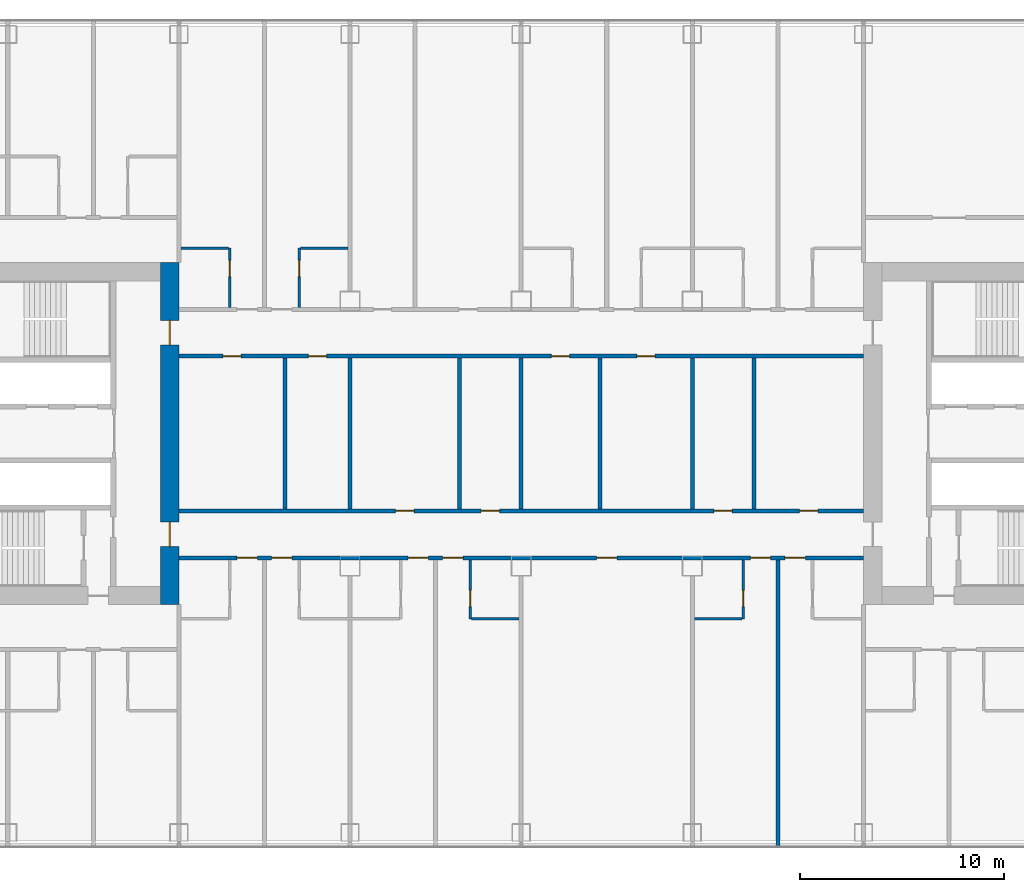
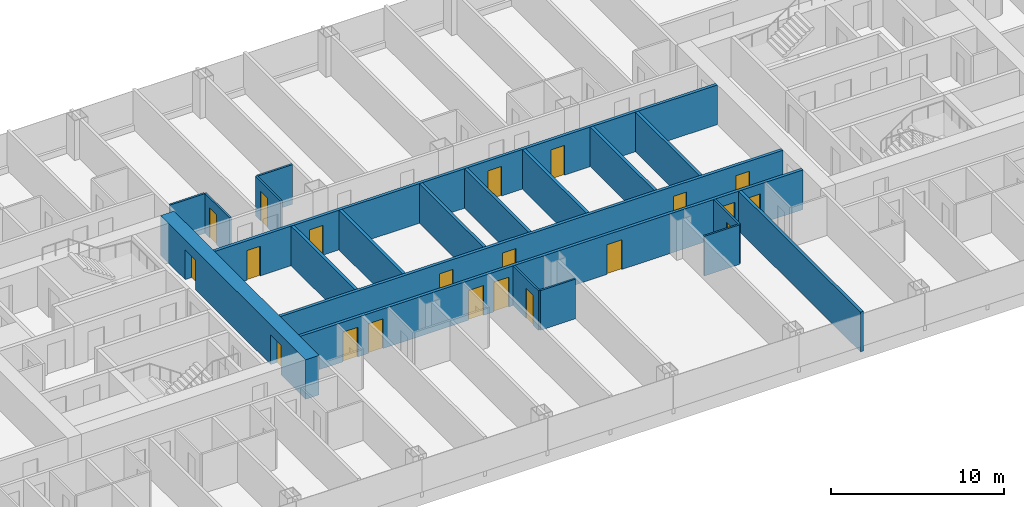
# One storey, part 16 of 29: 21 doors, 20 walls, 21 openings.
"""IFC4 building model written with IfcOpenShell, lengths in metres."""

from ifc_helpers import new_model, si_unit, direction, frame, frame_2d, origin, place, context, subcontext, project, spatial, rectangle, extrude, material, layer, layer_set, type_object, element, fill, save


model = new_model("IFC4")

# Units and contexts
model_context = context("Model", 3, precision=1e-05, world=origin(), true_north=direction((0.0, 1.0)))
body_context = subcontext(model_context, "Body", "Model", "MODEL_VIEW")
ifc_project = project(units=[si_unit("LENGTHUNIT", "METRE"), si_unit("AREAUNIT", "SQUARE_METRE"), si_unit("VOLUMEUNIT", "CUBIC_METRE"), si_unit("PLANEANGLEUNIT", "RADIAN"), si_unit("MASSUNIT", "GRAM", prefix="KILO")], contexts=[model_context])

# Site, building, storey
site_placement = place(None, origin())
site = spatial("IfcSite", under=ifc_project, at=site_placement, CompositionType="ELEMENT")
building_placement = place(site_placement, origin())
building = spatial("IfcBuilding", under=site, at=building_placement, Name="Hakoniwa Tower and Hamabe Station Hall", CompositionType="ELEMENT")
storey_placement = place(building_placement, frame((0.0, 0.0, 23.0)))
storey = spatial("IfcBuildingStorey", under=building, at=storey_placement, Name="L05", CompositionType="ELEMENT", Elevation=23.0)

# Walls
ifc_material_1 = material(Name="Gypsum board partition", Category="gypsum")
ifc_layer_1 = layer(ifc_material_1, 0.125)
ifc_layer_set_1 = layer_set([ifc_layer_1], Name="Bathroom Partition 125")
wall_type_1 = type_object("IfcWallType", Name="Bathroom Partition 125", PredefinedType="PARTITIONING", material=ifc_layer_set_1)
for number, where, z_axis, x_axis, name in (
    (1, (-2.4375, -9.10009765625, 0.0), (0.0, 0.0, 1.0), (1.0, 0.0, 0.0), "GW-L05-015"),
    (2, (8.5, -9.10009765625, 0.0), (0.0, 0.0, 1.0), (1.0, 0.0, 0.0), "GW-L05-016"),
    (3, (-16.699951171875, 9.10009765625, 0.0), (0.0, 0.0, 1.0), (1.0, 0.0, 0.0), "GW-L05-035"),
    (4, (-10.83740234375, 9.10009765625, 0.0), (0.0, 0.0, 1.0), (1.0, 0.0, 0.0), "GW-L05-036"),
):
    element("IfcWall", number, at=place(storey_placement, frame(where, z_axis=z_axis, x_axis=x_axis)), inside=storey, type_object=wall_type_1, Name=name, PredefinedType="PARTITIONING", context=body_context, shape_type="SweptSolid", body=[
        extrude(rectangle(XDim=2.33740234375, YDim=0.125, at=frame_2d((1.168701171875, 0.0))), origin(), (0.0, 0.0, 1.0), 2.800048828125),
    ])

# Wall, opening, door
wall_1_placement = place(storey_placement, frame((-14.300048828125, 6.199951171875, 0.0), z_axis=(0.0, 0.0, 1.0), x_axis=(0.0, 1.0, 0.0)))
wall_1 = element("IfcWall", 5, at=wall_1_placement, inside=storey, type_object=wall_type_1, Name="GW-L05-082", PredefinedType="PARTITIONING", context=body_context, shape_type="SweptSolid", body=[
    extrude(rectangle(XDim=2.900146484375, YDim=0.125, at=frame_2d((1.4501953125, 0.0))), origin(), (0.0, 0.0, 1.0), 2.800048828125),
])
opening_1_placement = place(wall_1_placement, frame((1.5, 0.0, 0.0)))
opening_1 = element("IfcOpeningElement", 6, at=opening_1_placement, cuts=wall_1, Name="Opening GD-G1B0-79", PredefinedType="OPENING", context=body_context, shape_type="SweptSolid", body=[
    extrude(rectangle(XDim=0.800048828125, YDim=2.10009765625, at=frame_2d((0.39990234375, 1.050048828125))), frame((0.0, 0.072509765625, 0.0), z_axis=(0.0, -1.0, 0.0), x_axis=(1.0, 0.0, 0.0)), (0.0, 0.0, 1.0), 0.14501953125),
])
ifc_material_2 = material(Name="Timber door leaf", Category="wood")
door_type_1 = type_object("IfcDoorType", Name="Bathroom Door 800", OperationType="SINGLE_SWING_LEFT", PredefinedType="DOOR", material=ifc_material_2)
door_1_placement = place(opening_1_placement, origin())
door_1 = element("IfcDoor", 7, at=door_1_placement, inside=storey, type_object=door_type_1, Name="Door GD-G1B0-79", OperationType="SINGLE_SWING_LEFT", OverallHeight=2.10009765625, OverallWidth=0.800048828125, PredefinedType="DOOR", context=body_context, shape_type="SweptSolid", body=[
    extrude(rectangle(XDim=0.800048828125, YDim=2.10009765625, at=frame_2d((0.39990234375, 1.050048828125))), frame((0.0, 0.02490234375, 0.0), z_axis=(0.0, -1.0, 0.0), x_axis=(1.0, 0.0, 0.0)), (0.0, 0.0, 1.0), 0.050048828125),
])
fill(opening_1, door_1)

wall_2_placement = place(storey_placement, frame((-10.89990234375, 6.199951171875, 0.0), z_axis=(0.0, 0.0, 1.0), x_axis=(0.0, 1.0, 0.0)))
wall_2 = element("IfcWall", 8, at=wall_2_placement, inside=storey, type_object=wall_type_1, Name="GW-L05-087", PredefinedType="PARTITIONING", context=body_context, shape_type="SweptSolid", body=[
    extrude(rectangle(XDim=2.900146484375, YDim=0.125, at=frame_2d((1.4501953125, 0.0))), origin(), (0.0, 0.0, 1.0), 2.800048828125),
])
opening_2_placement = place(wall_2_placement, frame((1.5, 0.0, 0.0)))
opening_2 = element("IfcOpeningElement", 9, at=opening_2_placement, cuts=wall_2, Name="Opening GD-G1B0-81", PredefinedType="OPENING", context=body_context, shape_type="SweptSolid", body=[
    extrude(rectangle(XDim=0.800048828125, YDim=2.10009765625, at=frame_2d((0.39990234375, 1.050048828125))), frame((0.0, 0.072509765625, 0.0), z_axis=(0.0, -1.0, 0.0), x_axis=(1.0, 0.0, 0.0)), (0.0, 0.0, 1.0), 0.14501953125),
])
door_2_placement = place(opening_2_placement, origin())
door_2 = element("IfcDoor", 10, at=door_2_placement, inside=storey, type_object=door_type_1, Name="Door GD-G1B0-81", OperationType="SINGLE_SWING_RIGHT", OverallHeight=2.10009765625, OverallWidth=0.800048828125, PredefinedType="DOOR", context=body_context, shape_type="SweptSolid", body=[
    extrude(rectangle(XDim=0.800048828125, YDim=2.10009765625, at=frame_2d((0.39990234375, 1.050048828125))), frame((0.0, 0.02490234375, 0.0), z_axis=(0.0, -1.0, 0.0), x_axis=(1.0, 0.0, 0.0)), (0.0, 0.0, 1.0), 0.050048828125),
])
fill(opening_2, door_2)

wall_3_placement = place(storey_placement, frame((-2.5, -9.10009765625, 0.0), z_axis=(0.0, 0.0, 1.0), x_axis=(0.0, 1.0, 0.0)))
wall_3 = element("IfcWall", 11, at=wall_3_placement, inside=storey, type_object=wall_type_1, Name="GW-L05-095", PredefinedType="PARTITIONING", context=body_context, shape_type="SweptSolid", body=[
    extrude(rectangle(XDim=2.900146484375, YDim=0.125, at=frame_2d((1.4501953125, 0.0))), origin(), (0.0, 0.0, 1.0), 2.800048828125),
])
opening_3_placement = place(wall_3_placement, frame((0.60009765625, 0.0, 0.0)))
opening_3 = element("IfcOpeningElement", 12, at=opening_3_placement, cuts=wall_3, Name="Opening GD-G1B0-83", PredefinedType="OPENING", context=body_context, shape_type="SweptSolid", body=[
    extrude(rectangle(XDim=0.800048828125, YDim=2.10009765625, at=frame_2d((0.39990234375, 1.050048828125))), frame((0.0, 0.072509765625, 0.0), z_axis=(0.0, -1.0, 0.0), x_axis=(1.0, 0.0, 0.0)), (0.0, 0.0, 1.0), 0.14501953125),
])
door_3_placement = place(opening_3_placement, origin())
door_3 = element("IfcDoor", 13, at=door_3_placement, inside=storey, type_object=door_type_1, Name="Door GD-G1B0-83", OperationType="SINGLE_SWING_LEFT", OverallHeight=2.10009765625, OverallWidth=0.800048828125, PredefinedType="DOOR", context=body_context, shape_type="SweptSolid", body=[
    extrude(rectangle(XDim=0.800048828125, YDim=2.10009765625, at=frame_2d((0.39990234375, 1.050048828125))), frame((0.0, 0.02490234375, 0.0), z_axis=(0.0, -1.0, 0.0), x_axis=(1.0, 0.0, 0.0)), (0.0, 0.0, 1.0), 0.050048828125),
])
fill(opening_3, door_3)

wall_4_placement = place(storey_placement, frame((10.89990234375, -9.10009765625, 0.0), z_axis=(0.0, 0.0, 1.0), x_axis=(0.0, 1.0, 0.0)))
wall_4 = element("IfcWall", 14, at=wall_4_placement, inside=storey, type_object=wall_type_1, Name="GW-L05-106", PredefinedType="PARTITIONING", context=body_context, shape_type="SweptSolid", body=[
    extrude(rectangle(XDim=2.900146484375, YDim=0.125, at=frame_2d((1.4501953125, 0.0))), origin(), (0.0, 0.0, 1.0), 2.800048828125),
])
opening_4_placement = place(wall_4_placement, frame((0.60009765625, 0.0, 0.0)))
opening_4 = element("IfcOpeningElement", 15, at=opening_4_placement, cuts=wall_4, Name="Opening GD-G1B0-86", PredefinedType="OPENING", context=body_context, shape_type="SweptSolid", body=[
    extrude(rectangle(XDim=0.800048828125, YDim=2.10009765625, at=frame_2d((0.39990234375, 1.050048828125))), frame((0.0, 0.072509765625, 0.0), z_axis=(0.0, -1.0, 0.0), x_axis=(1.0, 0.0, 0.0)), (0.0, 0.0, 1.0), 0.14501953125),
])
door_4_placement = place(opening_4_placement, origin())
door_4 = element("IfcDoor", 16, at=door_4_placement, inside=storey, type_object=door_type_1, Name="Door GD-G1B0-86", OperationType="SINGLE_SWING_RIGHT", OverallHeight=2.10009765625, OverallWidth=0.800048828125, PredefinedType="DOOR", context=body_context, shape_type="SweptSolid", body=[
    extrude(rectangle(XDim=0.800048828125, YDim=2.10009765625, at=frame_2d((0.39990234375, 1.050048828125))), frame((0.0, 0.02490234375, 0.0), z_axis=(0.0, -1.0, 0.0), x_axis=(1.0, 0.0, 0.0)), (0.0, 0.0, 1.0), 0.050048828125),
])
fill(opening_4, door_4)

# Wall, openings, doors
ifc_material_3 = material(Name="Concrete C80", Category="concrete")
ifc_layer_2 = layer(ifc_material_3, 0.89990234375)
ifc_layer_set_2 = layer_set([ifc_layer_2], Name="CORE WALL 900 C80")
wall_type_2 = type_object("IfcWallType", Name="CORE WALL 900 C80", PredefinedType="SHEAR", material=ifc_layer_set_2)
wall_5_placement = place(storey_placement, frame((-17.25, -8.39990234375, 0.0), z_axis=(0.0, 0.0, 1.0), x_axis=(0.0, 1.0, 0.0)))
wall_5 = element("IfcWall", 17, at=wall_5_placement, inside=storey, type_object=wall_type_2, Name="Core wall INNER west", PredefinedType="SHEAR", context=body_context, shape_type="SweptSolid", body=[
    extrude(rectangle(XDim=16.7998046875, YDim=0.89990234375, at=frame_2d((8.39990234375, 0.0))), origin(), (0.0, 0.0, 1.0), 2.800048828125),
])
opening_5_placement = place(wall_5_placement, frame((12.75, 0.0, 0.0)))
opening_5 = element("IfcOpeningElement", 18, at=opening_5_placement, cuts=wall_5, Name="Opening CD-W-IN1-12", PredefinedType="OPENING", context=body_context, shape_type="SweptSolid", body=[
    extrude(rectangle(XDim=1.199951171875, YDim=2.10009765625, at=frame_2d((0.60009765625, 1.050048828125))), frame((0.0, 0.4599609375, 0.0), z_axis=(0.0, -1.0, 0.0), x_axis=(1.0, 0.0, 0.0)), (0.0, 0.0, 1.0), 0.919921875),
])
opening_6_placement = place(wall_5_placement, frame((2.85009765625, 0.0, 0.0)))
opening_6 = element("IfcOpeningElement", 19, at=opening_6_placement, cuts=wall_5, Name="Opening CD-W-IN2-12", PredefinedType="OPENING", context=body_context, shape_type="SweptSolid", body=[
    extrude(rectangle(XDim=1.199951171875, YDim=2.10009765625, at=frame_2d((0.60009765625, 1.050048828125))), frame((0.0, 0.4599609375, 0.0), z_axis=(0.0, -1.0, 0.0), x_axis=(1.0, 0.0, 0.0)), (0.0, 0.0, 1.0), 0.919921875),
])
ifc_material_4 = material(Name="Steel fire door", Category="steel")
door_type_2 = type_object("IfcDoorType", Name="CORE DOOR 1200 FD60", OperationType="DOUBLE_DOOR_SINGLE_SWING", PredefinedType="DOOR", material=ifc_material_4)
door_5_placement = place(opening_5_placement, origin())
door_5 = element("IfcDoor", 20, at=door_5_placement, inside=storey, type_object=door_type_2, Name="Lift lobby door", OperationType="DOUBLE_DOOR_SINGLE_SWING", OverallHeight=2.10009765625, OverallWidth=1.199951171875, PredefinedType="DOOR", context=body_context, shape_type="SweptSolid", body=[
    extrude(rectangle(XDim=1.199951171875, YDim=2.10009765625, at=frame_2d((0.60009765625, 1.050048828125))), frame((0.0, 0.02490234375, 0.0), z_axis=(0.0, -1.0, 0.0), x_axis=(1.0, 0.0, 0.0)), (0.0, 0.0, 1.0), 0.050048828125),
])
fill(opening_5, door_5)
door_6_placement = place(opening_6_placement, origin())
door_6 = element("IfcDoor", 21, at=door_6_placement, inside=storey, type_object=door_type_2, Name="Lift lobby door", OperationType="DOUBLE_DOOR_SINGLE_SWING", OverallHeight=2.10009765625, OverallWidth=1.199951171875, PredefinedType="DOOR", context=body_context, shape_type="SweptSolid", body=[
    extrude(rectangle(XDim=1.199951171875, YDim=2.10009765625, at=frame_2d((0.60009765625, 1.050048828125))), frame((0.0, 0.02490234375, 0.0), z_axis=(0.0, -1.0, 0.0), x_axis=(1.0, 0.0, 0.0)), (0.0, 0.0, 1.0), 0.050048828125),
])
fill(opening_6, door_6)

ifc_material_5 = material(Name="Fire-rated gypsum board partition", Category="gypsum")
ifc_layer_3 = layer(ifc_material_5, 0.199951171875)
ifc_layer_set_3 = layer_set([ifc_layer_3], Name="Corridor Wall 200")
wall_type_3 = type_object("IfcWallType", Name="Corridor Wall 200", PredefinedType="PARTITIONING", material=ifc_layer_set_3)
wall_6_placement = place(storey_placement, frame((-16.800048828125, -6.10009765625, 0.0), z_axis=(0.0, 0.0, 1.0), x_axis=(1.0, 0.0, 0.0)))
wall_6 = element("IfcWall", 22, at=wall_6_placement, inside=storey, type_object=wall_type_3, Name="GW-L05-020", PredefinedType="PARTITIONING", context=body_context, shape_type="SweptSolid", body=[
    extrude(rectangle(XDim=33.60009765625, YDim=0.199951171875, at=frame_2d((16.800048828125, 0.0))), origin(), (0.0, 0.0, 1.0), 2.800048828125),
])
opening_7_placement = place(wall_6_placement, frame((2.85009765625, 0.0, 0.0)))
opening_7 = element("IfcOpeningElement", 23, at=opening_7_placement, cuts=wall_6, Name="Opening GD-G1B0-19", PredefinedType="OPENING", context=body_context, shape_type="SweptSolid", body=[
    extrude(rectangle(XDim=1.0, YDim=2.10009765625, at=frame_2d((0.5, 1.050048828125))), frame((0.0, 0.10986328125, 0.0), z_axis=(0.0, -1.0, 0.0), x_axis=(1.0, 0.0, 0.0)), (0.0, 0.0, 1.0), 0.219970703125),
])
opening_8_placement = place(wall_6_placement, frame((4.550048828125, 0.0, 0.0)))
opening_8 = element("IfcOpeningElement", 24, at=opening_8_placement, cuts=wall_6, Name="Opening GD-G1B0-20", PredefinedType="OPENING", context=body_context, shape_type="SweptSolid", body=[
    extrude(rectangle(XDim=1.0, YDim=2.10009765625, at=frame_2d((0.5, 1.050048828125))), frame((0.0, 0.10986328125, 0.0), z_axis=(0.0, -1.0, 0.0), x_axis=(1.0, 0.0, 0.0)), (0.0, 0.0, 1.0), 0.219970703125),
])
opening_9_placement = place(wall_6_placement, frame((11.25, 0.0, 0.0)))
opening_9 = element("IfcOpeningElement", 25, at=opening_9_placement, cuts=wall_6, Name="Opening GD-G1B0-21", PredefinedType="OPENING", context=body_context, shape_type="SweptSolid", body=[
    extrude(rectangle(XDim=1.0, YDim=2.10009765625, at=frame_2d((0.5, 1.050048828125))), frame((0.0, 0.10986328125, 0.0), z_axis=(0.0, -1.0, 0.0), x_axis=(1.0, 0.0, 0.0)), (0.0, 0.0, 1.0), 0.219970703125),
])
opening_10_placement = place(wall_6_placement, frame((12.949951171875, 0.0, 0.0)))
opening_10 = element("IfcOpeningElement", 26, at=opening_10_placement, cuts=wall_6, Name="Opening GD-G1B0-22", PredefinedType="OPENING", context=body_context, shape_type="SweptSolid", body=[
    extrude(rectangle(XDim=1.0, YDim=2.10009765625, at=frame_2d((0.5, 1.050048828125))), frame((0.0, 0.10986328125, 0.0), z_axis=(0.0, -1.0, 0.0), x_axis=(1.0, 0.0, 0.0)), (0.0, 0.0, 1.0), 0.219970703125),
])
opening_11_placement = place(wall_6_placement, frame((20.5, 0.0, 0.0)))
opening_11 = element("IfcOpeningElement", 27, at=opening_11_placement, cuts=wall_6, Name="Opening GD-G1B0-23", PredefinedType="OPENING", context=body_context, shape_type="SweptSolid", body=[
    extrude(rectangle(XDim=1.0, YDim=2.10009765625, at=frame_2d((0.5, 1.050048828125))), frame((0.0, 0.10986328125, 0.0), z_axis=(0.0, -1.0, 0.0), x_axis=(1.0, 0.0, 0.0)), (0.0, 0.0, 1.0), 0.219970703125),
])
opening_12_placement = place(wall_6_placement, frame((28.050048828125, 0.0, 0.0)))
opening_12 = element("IfcOpeningElement", 28, at=opening_12_placement, cuts=wall_6, Name="Opening GD-G1B0-24", PredefinedType="OPENING", context=body_context, shape_type="SweptSolid", body=[
    extrude(rectangle(XDim=1.0, YDim=2.10009765625, at=frame_2d((0.5, 1.050048828125))), frame((0.0, 0.10986328125, 0.0), z_axis=(0.0, -1.0, 0.0), x_axis=(1.0, 0.0, 0.0)), (0.0, 0.0, 1.0), 0.219970703125),
])
opening_13_placement = place(wall_6_placement, frame((29.75, 0.0, 0.0)))
opening_13 = element("IfcOpeningElement", 29, at=opening_13_placement, cuts=wall_6, Name="Opening GD-G1B0-25", PredefinedType="OPENING", context=body_context, shape_type="SweptSolid", body=[
    extrude(rectangle(XDim=1.0, YDim=2.10009765625, at=frame_2d((0.5, 1.050048828125))), frame((0.0, 0.10986328125, 0.0), z_axis=(0.0, -1.0, 0.0), x_axis=(1.0, 0.0, 0.0)), (0.0, 0.0, 1.0), 0.219970703125),
])
ifc_material_6 = material(Name="Timber door leaf", Category="wood")
door_type_3 = type_object("IfcDoorType", Name="Guest Entrance Door 1000", OperationType="SINGLE_SWING_LEFT", PredefinedType="DOOR", material=ifc_material_6)
door_7_placement = place(opening_7_placement, origin())
door_7 = element("IfcDoor", 30, at=door_7_placement, inside=storey, type_object=door_type_3, Name="Door GD-G1B0-19", OperationType="SINGLE_SWING_RIGHT", OverallHeight=2.10009765625, OverallWidth=1.0, PredefinedType="DOOR", context=body_context, shape_type="SweptSolid", body=[
    extrude(rectangle(XDim=1.0, YDim=2.10009765625, at=frame_2d((0.5, 1.050048828125))), frame((0.0, 0.02490234375, 0.0), z_axis=(0.0, -1.0, 0.0), x_axis=(1.0, 0.0, 0.0)), (0.0, 0.0, 1.0), 0.050048828125),
])
fill(opening_7, door_7)
door_8_placement = place(opening_8_placement, origin())
door_8 = element("IfcDoor", 31, at=door_8_placement, inside=storey, type_object=door_type_3, Name="Door GD-G1B0-20", OperationType="SINGLE_SWING_RIGHT", OverallHeight=2.10009765625, OverallWidth=1.0, PredefinedType="DOOR", context=body_context, shape_type="SweptSolid", body=[
    extrude(rectangle(XDim=1.0, YDim=2.10009765625, at=frame_2d((0.5, 1.050048828125))), frame((0.0, 0.02490234375, 0.0), z_axis=(0.0, -1.0, 0.0), x_axis=(1.0, 0.0, 0.0)), (0.0, 0.0, 1.0), 0.050048828125),
])
fill(opening_8, door_8)
door_9_placement = place(opening_9_placement, origin())
door_9 = element("IfcDoor", 32, at=door_9_placement, inside=storey, type_object=door_type_3, Name="Door GD-G1B0-21", OperationType="SINGLE_SWING_LEFT", OverallHeight=2.10009765625, OverallWidth=1.0, PredefinedType="DOOR", context=body_context, shape_type="SweptSolid", body=[
    extrude(rectangle(XDim=1.0, YDim=2.10009765625, at=frame_2d((0.5, 1.050048828125))), frame((0.0, 0.02490234375, 0.0), z_axis=(0.0, -1.0, 0.0), x_axis=(1.0, 0.0, 0.0)), (0.0, 0.0, 1.0), 0.050048828125),
])
fill(opening_9, door_9)
door_10_placement = place(opening_10_placement, origin())
door_10 = element("IfcDoor", 33, at=door_10_placement, inside=storey, type_object=door_type_3, Name="Door GD-G1B0-22", OperationType="SINGLE_SWING_RIGHT", OverallHeight=2.10009765625, OverallWidth=1.0, PredefinedType="DOOR", context=body_context, shape_type="SweptSolid", body=[
    extrude(rectangle(XDim=1.0, YDim=2.10009765625, at=frame_2d((0.5, 1.050048828125))), frame((0.0, 0.02490234375, 0.0), z_axis=(0.0, -1.0, 0.0), x_axis=(1.0, 0.0, 0.0)), (0.0, 0.0, 1.0), 0.050048828125),
])
fill(opening_10, door_10)
door_11_placement = place(opening_11_placement, origin())
door_11 = element("IfcDoor", 34, at=door_11_placement, inside=storey, type_object=door_type_3, Name="Door GD-G1B0-23", OperationType="SINGLE_SWING_LEFT", OverallHeight=2.10009765625, OverallWidth=1.0, PredefinedType="DOOR", context=body_context, shape_type="SweptSolid", body=[
    extrude(rectangle(XDim=1.0, YDim=2.10009765625, at=frame_2d((0.5, 1.050048828125))), frame((0.0, 0.02490234375, 0.0), z_axis=(0.0, -1.0, 0.0), x_axis=(1.0, 0.0, 0.0)), (0.0, 0.0, 1.0), 0.050048828125),
])
fill(opening_11, door_11)
door_12_placement = place(opening_12_placement, origin())
door_12 = element("IfcDoor", 35, at=door_12_placement, inside=storey, type_object=door_type_3, Name="Door GD-G1B0-24", OperationType="SINGLE_SWING_RIGHT", OverallHeight=2.10009765625, OverallWidth=1.0, PredefinedType="DOOR", context=body_context, shape_type="SweptSolid", body=[
    extrude(rectangle(XDim=1.0, YDim=2.10009765625, at=frame_2d((0.5, 1.050048828125))), frame((0.0, 0.02490234375, 0.0), z_axis=(0.0, -1.0, 0.0), x_axis=(1.0, 0.0, 0.0)), (0.0, 0.0, 1.0), 0.050048828125),
])
fill(opening_12, door_12)
door_13_placement = place(opening_13_placement, origin())
door_13 = element("IfcDoor", 36, at=door_13_placement, inside=storey, type_object=door_type_3, Name="Door GD-G1B0-25", OperationType="SINGLE_SWING_LEFT", OverallHeight=2.10009765625, OverallWidth=1.0, PredefinedType="DOOR", context=body_context, shape_type="SweptSolid", body=[
    extrude(rectangle(XDim=1.0, YDim=2.10009765625, at=frame_2d((0.5, 1.050048828125))), frame((0.0, 0.02490234375, 0.0), z_axis=(0.0, -1.0, 0.0), x_axis=(1.0, 0.0, 0.0)), (0.0, 0.0, 1.0), 0.050048828125),
])
fill(opening_13, door_13)

wall_7_placement = place(storey_placement, frame((-16.800048828125, -3.800048828125, 0.0), z_axis=(0.0, 0.0, 1.0), x_axis=(1.0, 0.0, 0.0)))
wall_7 = element("IfcWall", 37, at=wall_7_placement, inside=storey, type_object=wall_type_3, Name="GW-L05-024", PredefinedType="PARTITIONING", context=body_context, shape_type="SweptSolid", body=[
    extrude(rectangle(XDim=33.60009765625, YDim=0.199951171875, at=frame_2d((16.800048828125, 0.0))), origin(), (0.0, 0.0, 1.0), 2.800048828125),
])
opening_14_placement = place(wall_7_placement, frame((10.639892578125, 0.0, 0.0)))
opening_14 = element("IfcOpeningElement", 38, at=opening_14_placement, cuts=wall_7, Name="Opening GD-G1B0-30", PredefinedType="OPENING", context=body_context, shape_type="SweptSolid", body=[
    extrude(rectangle(XDim=0.89990234375, YDim=2.10009765625, at=frame_2d((0.449951171875, 1.050048828125))), frame((0.0, 0.10986328125, 0.0), z_axis=(0.0, -1.0, 0.0), x_axis=(1.0, 0.0, 0.0)), (0.0, 0.0, 1.0), 0.219970703125),
])
opening_15_placement = place(wall_7_placement, frame((14.840087890625, 0.0, 0.0)))
opening_15 = element("IfcOpeningElement", 39, at=opening_15_placement, cuts=wall_7, Name="Opening GD-G1B0-31", PredefinedType="OPENING", context=body_context, shape_type="SweptSolid", body=[
    extrude(rectangle(XDim=0.89990234375, YDim=2.10009765625, at=frame_2d((0.449951171875, 1.050048828125))), frame((0.0, 0.10986328125, 0.0), z_axis=(0.0, -1.0, 0.0), x_axis=(1.0, 0.0, 0.0)), (0.0, 0.0, 1.0), 0.219970703125),
])
opening_16_placement = place(wall_7_placement, frame((26.260009765625, 0.0, 0.0)))
opening_16 = element("IfcOpeningElement", 40, at=opening_16_placement, cuts=wall_7, Name="Opening GD-G1B0-32", PredefinedType="OPENING", context=body_context, shape_type="SweptSolid", body=[
    extrude(rectangle(XDim=0.89990234375, YDim=2.10009765625, at=frame_2d((0.449951171875, 1.050048828125))), frame((0.0, 0.10986328125, 0.0), z_axis=(0.0, -1.0, 0.0), x_axis=(1.0, 0.0, 0.0)), (0.0, 0.0, 1.0), 0.219970703125),
])
opening_17_placement = place(wall_7_placement, frame((30.4599609375, 0.0, 0.0)))
opening_17 = element("IfcOpeningElement", 41, at=opening_17_placement, cuts=wall_7, Name="Opening GD-G1B0-33", PredefinedType="OPENING", context=body_context, shape_type="SweptSolid", body=[
    extrude(rectangle(XDim=0.89990234375, YDim=2.10009765625, at=frame_2d((0.449951171875, 1.050048828125))), frame((0.0, 0.10986328125, 0.0), z_axis=(0.0, -1.0, 0.0), x_axis=(1.0, 0.0, 0.0)), (0.0, 0.0, 1.0), 0.219970703125),
])
ifc_material_7 = material(Name="Timber door leaf", Category="wood")
door_type_4 = type_object("IfcDoorType", Name="Service Door 900", OperationType="SINGLE_SWING_LEFT", PredefinedType="DOOR", material=ifc_material_7)
door_14_placement = place(opening_14_placement, origin())
door_14 = element("IfcDoor", 42, at=door_14_placement, inside=storey, type_object=door_type_4, Name="Door GD-G1B0-30", OperationType="SINGLE_SWING_RIGHT", OverallHeight=2.10009765625, OverallWidth=0.89990234375, PredefinedType="DOOR", context=body_context, shape_type="SweptSolid", body=[
    extrude(rectangle(XDim=0.89990234375, YDim=2.10009765625, at=frame_2d((0.449951171875, 1.050048828125))), frame((0.0, 0.02490234375, 0.0), z_axis=(0.0, -1.0, 0.0), x_axis=(1.0, 0.0, 0.0)), (0.0, 0.0, 1.0), 0.050048828125),
])
fill(opening_14, door_14)
door_15_placement = place(opening_15_placement, origin())
door_15 = element("IfcDoor", 43, at=door_15_placement, inside=storey, type_object=door_type_4, Name="Door GD-G1B0-31", OperationType="SINGLE_SWING_LEFT", OverallHeight=2.10009765625, OverallWidth=0.89990234375, PredefinedType="DOOR", context=body_context, shape_type="SweptSolid", body=[
    extrude(rectangle(XDim=0.89990234375, YDim=2.10009765625, at=frame_2d((0.449951171875, 1.050048828125))), frame((0.0, 0.02490234375, 0.0), z_axis=(0.0, -1.0, 0.0), x_axis=(1.0, 0.0, 0.0)), (0.0, 0.0, 1.0), 0.050048828125),
])
fill(opening_15, door_15)
door_16_placement = place(opening_16_placement, origin())
door_16 = element("IfcDoor", 44, at=door_16_placement, inside=storey, type_object=door_type_4, Name="Door GD-G1B0-32", OperationType="SINGLE_SWING_RIGHT", OverallHeight=2.10009765625, OverallWidth=0.89990234375, PredefinedType="DOOR", context=body_context, shape_type="SweptSolid", body=[
    extrude(rectangle(XDim=0.89990234375, YDim=2.10009765625, at=frame_2d((0.449951171875, 1.050048828125))), frame((0.0, 0.02490234375, 0.0), z_axis=(0.0, -1.0, 0.0), x_axis=(1.0, 0.0, 0.0)), (0.0, 0.0, 1.0), 0.050048828125),
])
fill(opening_16, door_16)
door_17_placement = place(opening_17_placement, origin())
door_17 = element("IfcDoor", 45, at=door_17_placement, inside=storey, type_object=door_type_4, Name="Door GD-G1B0-33", OperationType="SINGLE_SWING_LEFT", OverallHeight=2.10009765625, OverallWidth=0.89990234375, PredefinedType="DOOR", context=body_context, shape_type="SweptSolid", body=[
    extrude(rectangle(XDim=0.89990234375, YDim=2.10009765625, at=frame_2d((0.449951171875, 1.050048828125))), frame((0.0, 0.02490234375, 0.0), z_axis=(0.0, -1.0, 0.0), x_axis=(1.0, 0.0, 0.0)), (0.0, 0.0, 1.0), 0.050048828125),
])
fill(opening_17, door_17)

wall_8_placement = place(storey_placement, frame((-16.800048828125, 3.800048828125, 0.0), z_axis=(0.0, 0.0, 1.0), x_axis=(1.0, 0.0, 0.0)))
wall_8 = element("IfcWall", 46, at=wall_8_placement, inside=storey, type_object=wall_type_3, Name="GW-L05-027", PredefinedType="PARTITIONING", context=body_context, shape_type="SweptSolid", body=[
    extrude(rectangle(XDim=33.60009765625, YDim=0.199951171875, at=frame_2d((16.800048828125, 0.0))), origin(), (0.0, 0.0, 1.0), 2.800048828125),
])
opening_18_placement = place(wall_8_placement, frame((2.155029296875, 0.0, 0.0)))
opening_18 = element("IfcOpeningElement", 47, at=opening_18_placement, cuts=wall_8, Name="Opening GD-G1B0-34", PredefinedType="OPENING", context=body_context, shape_type="SweptSolid", body=[
    extrude(rectangle(XDim=0.89990234375, YDim=2.10009765625, at=frame_2d((0.449951171875, 1.050048828125))), frame((0.0, 0.10986328125, 0.0), z_axis=(0.0, -1.0, 0.0), x_axis=(1.0, 0.0, 0.0)), (0.0, 0.0, 1.0), 0.219970703125),
])
opening_19_placement = place(wall_8_placement, frame((6.35498046875, 0.0, 0.0)))
opening_19 = element("IfcOpeningElement", 48, at=opening_19_placement, cuts=wall_8, Name="Opening GD-G1B0-35", PredefinedType="OPENING", context=body_context, shape_type="SweptSolid", body=[
    extrude(rectangle(XDim=0.89990234375, YDim=2.10009765625, at=frame_2d((0.449951171875, 1.050048828125))), frame((0.0, 0.10986328125, 0.0), z_axis=(0.0, -1.0, 0.0), x_axis=(1.0, 0.0, 0.0)), (0.0, 0.0, 1.0), 0.219970703125),
])
opening_20_placement = place(wall_8_placement, frame((18.280029296875, 0.0, 0.0)))
opening_20 = element("IfcOpeningElement", 49, at=opening_20_placement, cuts=wall_8, Name="Opening GD-G1B0-36", PredefinedType="OPENING", context=body_context, shape_type="SweptSolid", body=[
    extrude(rectangle(XDim=0.89990234375, YDim=2.10009765625, at=frame_2d((0.449951171875, 1.050048828125))), frame((0.0, 0.10986328125, 0.0), z_axis=(0.0, -1.0, 0.0), x_axis=(1.0, 0.0, 0.0)), (0.0, 0.0, 1.0), 0.219970703125),
])
opening_21_placement = place(wall_8_placement, frame((22.47998046875, 0.0, 0.0)))
opening_21 = element("IfcOpeningElement", 50, at=opening_21_placement, cuts=wall_8, Name="Opening GD-G1B0-37", PredefinedType="OPENING", context=body_context, shape_type="SweptSolid", body=[
    extrude(rectangle(XDim=0.89990234375, YDim=2.10009765625, at=frame_2d((0.449951171875, 1.050048828125))), frame((0.0, 0.10986328125, 0.0), z_axis=(0.0, -1.0, 0.0), x_axis=(1.0, 0.0, 0.0)), (0.0, 0.0, 1.0), 0.219970703125),
])
door_18_placement = place(opening_18_placement, origin())
door_18 = element("IfcDoor", 51, at=door_18_placement, inside=storey, type_object=door_type_4, Name="Door GD-G1B0-34", OperationType="SINGLE_SWING_LEFT", OverallHeight=2.10009765625, OverallWidth=0.89990234375, PredefinedType="DOOR", context=body_context, shape_type="SweptSolid", body=[
    extrude(rectangle(XDim=0.89990234375, YDim=2.10009765625, at=frame_2d((0.449951171875, 1.050048828125))), frame((0.0, 0.02490234375, 0.0), z_axis=(0.0, -1.0, 0.0), x_axis=(1.0, 0.0, 0.0)), (0.0, 0.0, 1.0), 0.050048828125),
])
fill(opening_18, door_18)
door_19_placement = place(opening_19_placement, origin())
door_19 = element("IfcDoor", 52, at=door_19_placement, inside=storey, type_object=door_type_4, Name="Door GD-G1B0-35", OperationType="SINGLE_SWING_RIGHT", OverallHeight=2.10009765625, OverallWidth=0.89990234375, PredefinedType="DOOR", context=body_context, shape_type="SweptSolid", body=[
    extrude(rectangle(XDim=0.89990234375, YDim=2.10009765625, at=frame_2d((0.449951171875, 1.050048828125))), frame((0.0, 0.02490234375, 0.0), z_axis=(0.0, -1.0, 0.0), x_axis=(1.0, 0.0, 0.0)), (0.0, 0.0, 1.0), 0.050048828125),
])
fill(opening_19, door_19)
door_20_placement = place(opening_20_placement, origin())
door_20 = element("IfcDoor", 53, at=door_20_placement, inside=storey, type_object=door_type_4, Name="Door GD-G1B0-36", OperationType="SINGLE_SWING_LEFT", OverallHeight=2.10009765625, OverallWidth=0.89990234375, PredefinedType="DOOR", context=body_context, shape_type="SweptSolid", body=[
    extrude(rectangle(XDim=0.89990234375, YDim=2.10009765625, at=frame_2d((0.449951171875, 1.050048828125))), frame((0.0, 0.02490234375, 0.0), z_axis=(0.0, -1.0, 0.0), x_axis=(1.0, 0.0, 0.0)), (0.0, 0.0, 1.0), 0.050048828125),
])
fill(opening_20, door_20)
door_21_placement = place(opening_21_placement, origin())
door_21 = element("IfcDoor", 54, at=door_21_placement, inside=storey, type_object=door_type_4, Name="Door GD-G1B0-37", OperationType="SINGLE_SWING_RIGHT", OverallHeight=2.10009765625, OverallWidth=0.89990234375, PredefinedType="DOOR", context=body_context, shape_type="SweptSolid", body=[
    extrude(rectangle(XDim=0.89990234375, YDim=2.10009765625, at=frame_2d((0.449951171875, 1.050048828125))), frame((0.0, 0.02490234375, 0.0), z_axis=(0.0, -1.0, 0.0), x_axis=(1.0, 0.0, 0.0)), (0.0, 0.0, 1.0), 0.050048828125),
])
fill(opening_21, door_21)

# Walls
ifc_material_8 = material(Name="Fire-rated gypsum board partition", Category="gypsum")
ifc_layer_4 = layer(ifc_material_8, 0.199951171875)
ifc_layer_set_4 = layer_set([ifc_layer_4], Name="Party Wall 200")
wall_type_4 = type_object("IfcWallType", Name="Party Wall 200", PredefinedType="PARTITIONING", material=ifc_layer_set_4)
for number, where, z_axis, x_axis, name in (
    (55, (-11.590087890625, -3.699951171875, 0.0), (0.0, 0.0, 1.0), (0.0, 1.0, 0.0), "GW-L05-085"),
    (56, (-8.39990234375, -3.699951171875, 0.0), (0.0, 0.0, 1.0), (0.0, 1.0, 0.0), "GW-L05-089"),
    (57, (-3.02001953125, -3.699951171875, 0.0), (0.0, 0.0, 1.0), (0.0, 1.0, 0.0), "GW-L05-094"),
    (58, (0.0, -3.699951171875, 0.0), (0.0, 0.0, 1.0), (0.0, 1.0, 0.0), "GW-L05-097"),
    (59, (3.860107421875, -3.699951171875, 0.0), (0.0, 0.0, 1.0), (0.0, 1.0, 0.0), "GW-L05-100"),
    (60, (8.39990234375, -3.699951171875, 0.0), (0.0, 0.0, 1.0), (0.0, 1.0, 0.0), "GW-L05-104"),
    (61, (11.419921875, -3.699951171875, 0.0), (0.0, 0.0, 1.0), (0.0, 1.0, 0.0), "GW-L05-108"),
):
    element("IfcWall", number, at=place(storey_placement, frame(where, z_axis=z_axis, x_axis=x_axis)), inside=storey, type_object=wall_type_4, Name=name, PredefinedType="PARTITIONING", context=body_context, shape_type="SweptSolid", body=[
        extrude(rectangle(XDim=7.39990234375, YDim=0.199951171875, at=frame_2d((3.699951171875, 0.0))), origin(), (0.0, 0.0, 1.0), 2.800048828125),
    ])
wall_9_placement = place(storey_placement, frame((12.60009765625, -20.300048828125, 0.0), z_axis=(0.0, 0.0, 1.0), x_axis=(0.0, 1.0, 0.0)))
element("IfcWall", 62, at=wall_9_placement, inside=storey, type_object=wall_type_4, Name="GW-L05-109", PredefinedType="PARTITIONING", context=body_context, shape_type="SweptSolid", body=[
    extrude(rectangle(XDim=14.10009765625, YDim=0.199951171875, at=frame_2d((7.050048828125, 0.0))), origin(), (0.0, 0.0, 1.0), 2.800048828125),
])

save(model, "model.ifc")
